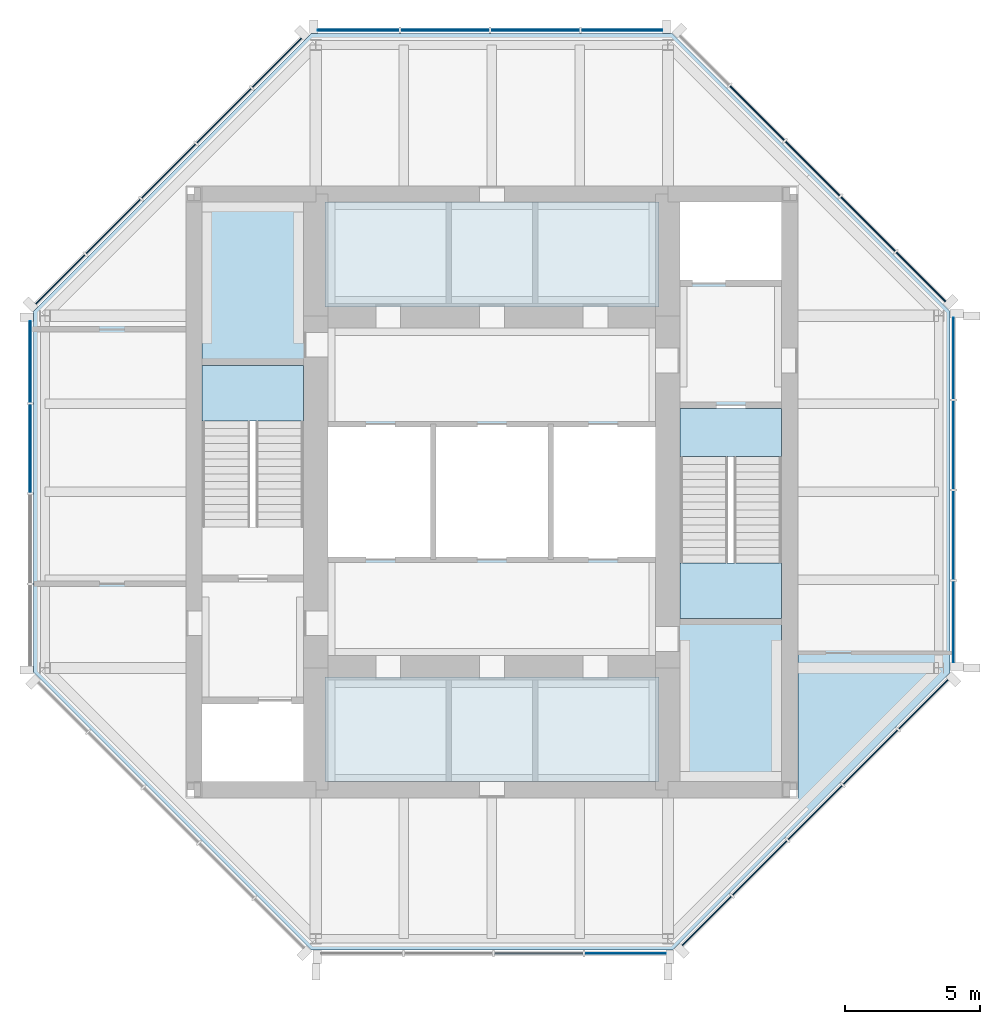
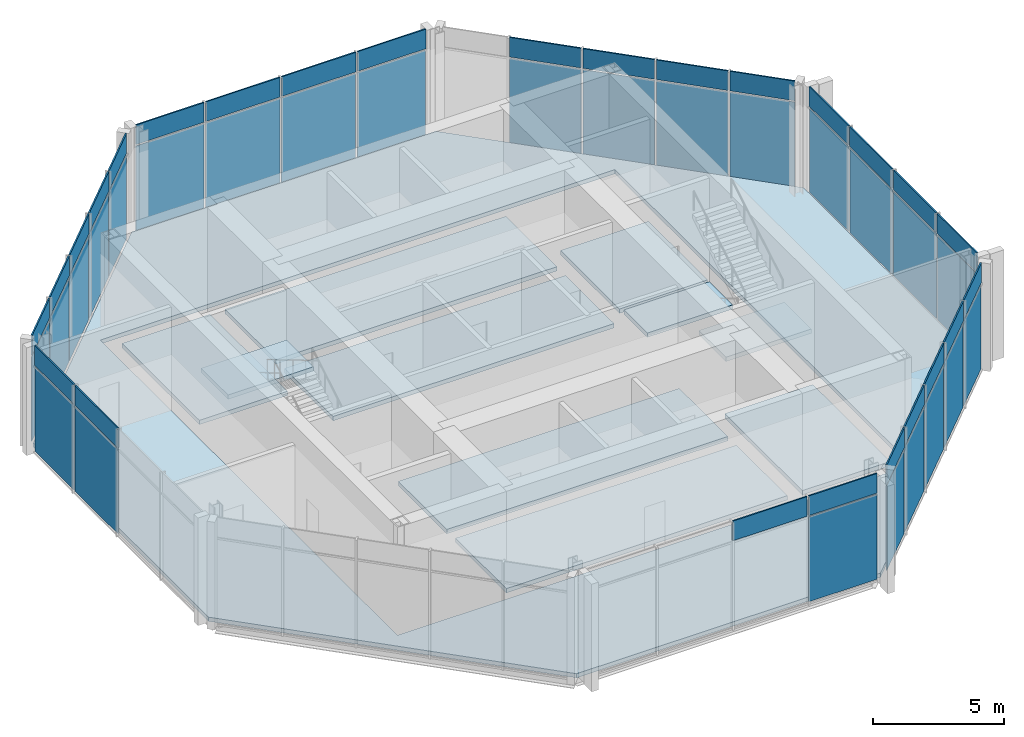
# One storey, part 4 of 7: 51 plates, 11 slabs, 9 elements without a shape of their own.
"""IFC4 building model written with IfcOpenShell, lengths in metres."""

from ifc_helpers import new_model, si_unit, direction, frame, origin, origin_2d, place, context, subcontext, project, spatial, polyline, rectangle, outline, extrude, material, layer, layer_set, type_object, element, aggregate, save


model = new_model("IFC4")

# Units and contexts
model_context = context("Model", 3, precision=1e-05, world=origin(), true_north=direction((0.0, 1.0)))
body_context = subcontext(model_context, "Body", "Model", "MODEL_VIEW")
ifc_project = project(units=[si_unit("LENGTHUNIT", "METRE"), si_unit("AREAUNIT", "SQUARE_METRE"), si_unit("VOLUMEUNIT", "CUBIC_METRE"), si_unit("PLANEANGLEUNIT", "RADIAN"), si_unit("MASSUNIT", "GRAM", prefix="KILO")], contexts=[model_context])

# Site, building, storey
site_placement = place(None, origin())
site = spatial("IfcSite", under=ifc_project, at=site_placement, CompositionType="ELEMENT")
building_placement = place(site_placement, origin())
building = spatial("IfcBuilding", under=site, at=building_placement, Name="Trevanion Tower", CompositionType="ELEMENT")
storey_placement = place(building_placement, frame((0.0, 0.0, 299.199951171875)))
storey = spatial("IfcBuildingStorey", under=building, at=storey_placement, Name="L74", CompositionType="ELEMENT", Elevation=299.199951171875)

# Curtain wall, plates
ifc_material_1 = material(Name="Aluminium and glass", Category="aluminium")
curtain_wall_type = type_object("IfcCurtainWallType", Name="CW4 curtain wall", PredefinedType="USERDEFINED", material=ifc_material_1)
curtain_wall_1_placement = place(storey_placement, origin())
curtain_wall_1 = element("IfcCurtainWall", 1, at=curtain_wall_1_placement, inside=storey, type_object=curtain_wall_type, Name="CW4 L74 0", ObjectType="UNITISED CURTAIN WALL", PredefinedType="USERDEFINED")
ifc_material_2 = material(Name="Aluminium spandrel panel", Category="aluminium")
ifc_layer_1 = layer(ifc_material_2, 0.06005859375)
ifc_layer_set_1 = layer_set([ifc_layer_1], Name="CW4 spandrel panel")
plate_type_1 = type_object("IfcPlateType", Name="CW4 spandrel panel", PredefinedType="CURTAIN_PANEL", material=ifc_layer_set_1)
plate_1_placement = place(storey_placement, frame((17.050048828125, -4.80078125, 3.8974609375), z_axis=(0.0, 0.0, 1.0), x_axis=(0.0, 1.0, 0.0)))
plate_1 = element("IfcPlate", 2, at=plate_1_placement, type_object=plate_type_1, Name="CW4 panel 1.2", PredefinedType="CURTAIN_PANEL", context=body_context, shape_type="SweptSolid", body=[
    extrude(rectangle(XDim=2.993896484375, YDim=0.06005859375, at=origin_2d()), origin(), (0.0, 0.0, 1.0), 0.91259765625),
])
plate_2_placement = place(storey_placement, frame((17.050048828125, -1.6005859375, 3.8974609375), z_axis=(0.0, 0.0, 1.0), x_axis=(0.0, 1.0, 0.0)))
plate_2 = element("IfcPlate", 3, at=plate_2_placement, type_object=plate_type_1, Name="CW4 panel 2.2", PredefinedType="CURTAIN_PANEL", context=body_context, shape_type="SweptSolid", body=[
    extrude(rectangle(XDim=3.25634765625, YDim=0.06005859375, at=origin_2d()), origin(), (0.0, 0.0, 1.0), 0.91259765625),
])
plate_3_placement = place(storey_placement, frame((17.050048828125, 1.730712890625, 3.8974609375), z_axis=(0.0, 0.0, 1.0), x_axis=(0.0, 1.0, 0.0)))
plate_3 = element("IfcPlate", 4, at=plate_3_placement, type_object=plate_type_1, Name="CW4 panel 3.2", PredefinedType="CURTAIN_PANEL", context=body_context, shape_type="SweptSolid", body=[
    extrude(rectangle(XDim=3.25634765625, YDim=0.06005859375, at=origin_2d()), origin(), (0.0, 0.0, 1.0), 0.91259765625),
])
plate_4_placement = place(storey_placement, frame((17.050048828125, 4.930908203125, 3.8974609375), z_axis=(0.0, 0.0, 1.0), x_axis=(0.0, 1.0, 0.0)))
plate_4 = element("IfcPlate", 5, at=plate_4_placement, type_object=plate_type_1, Name="CW4 panel 4.2", PredefinedType="CURTAIN_PANEL", context=body_context, shape_type="SweptSolid", body=[
    extrude(rectangle(XDim=2.993896484375, YDim=0.06005859375, at=origin_2d()), origin(), (0.0, 0.0, 1.0), 0.91259765625),
])

curtain_wall_2_placement = place(storey_placement, origin())
curtain_wall_2 = element("IfcCurtainWall", 6, at=curtain_wall_2_placement, inside=storey, type_object=curtain_wall_type, Name="CW4 L74 1", ObjectType="UNITISED CURTAIN WALL", PredefinedType="USERDEFINED")
plate_5_placement = place(storey_placement, frame((15.84228515625, 7.935546875, 3.8974609375), z_axis=(0.0, 0.0, 1.0), x_axis=(-0.707106781187, 0.707106781187, 0.0)))
plate_5 = element("IfcPlate", 7, at=plate_5_placement, type_object=plate_type_1, Name="CW4 panel 1.2", PredefinedType="CURTAIN_PANEL", context=body_context, shape_type="SweptSolid", body=[
    extrude(rectangle(XDim=2.55615234375, YDim=0.06005859375, at=origin_2d()), origin(), (0.0, 0.0, 1.0), 0.91259765625),
])
plate_6_placement = place(storey_placement, frame((13.888916015625, 9.888916015625, 3.8974609375), z_axis=(0.0, 0.0, 1.0), x_axis=(-0.707106781187, 0.707106781187, 0.0)))
plate_6 = element("IfcPlate", 8, at=plate_6_placement, type_object=plate_type_1, Name="CW4 panel 2.2", PredefinedType="CURTAIN_PANEL", context=body_context, shape_type="SweptSolid", body=[
    extrude(rectangle(XDim=2.818603515625, YDim=0.06005859375, at=origin_2d()), origin(), (0.0, 0.0, 1.0), 0.91259765625),
])
plate_7_placement = place(storey_placement, frame((11.843017578125, 11.934814453125, 3.8974609375), z_axis=(0.0, 0.0, 1.0), x_axis=(-0.707106781187, 0.707106781187, 0.0)))
plate_7 = element("IfcPlate", 9, at=plate_7_placement, type_object=plate_type_1, Name="CW4 panel 3.2", PredefinedType="CURTAIN_PANEL", context=body_context, shape_type="SweptSolid", body=[
    extrude(rectangle(XDim=2.818603515625, YDim=0.06005859375, at=origin_2d()), origin(), (0.0, 0.0, 1.0), 0.91259765625),
])
plate_8_placement = place(storey_placement, frame((9.796875, 13.98095703125, 3.8974609375), z_axis=(0.0, 0.0, 1.0), x_axis=(-0.707106781187, 0.707106781187, 0.0)))
plate_8 = element("IfcPlate", 10, at=plate_8_placement, type_object=plate_type_1, Name="CW4 panel 4.2", PredefinedType="CURTAIN_PANEL", context=body_context, shape_type="SweptSolid", body=[
    extrude(rectangle(XDim=2.818603515625, YDim=0.06005859375, at=origin_2d()), origin(), (0.0, 0.0, 1.0), 0.91259765625),
])

curtain_wall_3_placement = place(storey_placement, origin())
curtain_wall_3 = element("IfcCurtainWall", 11, at=curtain_wall_3_placement, inside=storey, type_object=curtain_wall_type, Name="CW4 L74 2", ObjectType="UNITISED CURTAIN WALL", PredefinedType="USERDEFINED")
plate_9_placement = place(storey_placement, frame((4.80078125, 17.050048828125, 3.8974609375), z_axis=(0.0, 0.0, 1.0), x_axis=(-1.0, 0.0, 0.0)))
plate_9 = element("IfcPlate", 12, at=plate_9_placement, type_object=plate_type_1, Name="CW4 panel 1.2", PredefinedType="CURTAIN_PANEL", context=body_context, shape_type="SweptSolid", body=[
    extrude(rectangle(XDim=2.993896484375, YDim=0.06005859375, at=origin_2d()), origin(), (0.0, 0.0, 1.0), 0.91259765625),
])
plate_10_placement = place(storey_placement, frame((1.6005859375, 17.050048828125, 3.8974609375), z_axis=(0.0, 0.0, 1.0), x_axis=(-1.0, 0.0, 0.0)))
plate_10 = element("IfcPlate", 13, at=plate_10_placement, type_object=plate_type_1, Name="CW4 panel 2.2", PredefinedType="CURTAIN_PANEL", context=body_context, shape_type="SweptSolid", body=[
    extrude(rectangle(XDim=3.25634765625, YDim=0.06005859375, at=origin_2d()), origin(), (0.0, 0.0, 1.0), 0.91259765625),
])
plate_11_placement = place(storey_placement, frame((-1.730712890625, 17.050048828125, 3.8974609375), z_axis=(0.0, 0.0, 1.0), x_axis=(-1.0, 0.0, 0.0)))
plate_11 = element("IfcPlate", 14, at=plate_11_placement, type_object=plate_type_1, Name="CW4 panel 3.2", PredefinedType="CURTAIN_PANEL", context=body_context, shape_type="SweptSolid", body=[
    extrude(rectangle(XDim=3.25634765625, YDim=0.06005859375, at=origin_2d()), origin(), (0.0, 0.0, 1.0), 0.91259765625),
])
plate_12_placement = place(storey_placement, frame((-4.930908203125, 17.050048828125, 3.8974609375), z_axis=(0.0, 0.0, 1.0), x_axis=(-1.0, 0.0, 0.0)))
plate_12 = element("IfcPlate", 15, at=plate_12_placement, type_object=plate_type_1, Name="CW4 panel 4.2", PredefinedType="CURTAIN_PANEL", context=body_context, shape_type="SweptSolid", body=[
    extrude(rectangle(XDim=2.993896484375, YDim=0.06005859375, at=origin_2d()), origin(), (0.0, 0.0, 1.0), 0.91259765625),
])

curtain_wall_4_placement = place(storey_placement, origin())
curtain_wall_4 = element("IfcCurtainWall", 16, at=curtain_wall_4_placement, inside=storey, type_object=curtain_wall_type, Name="CW4 L74 3", ObjectType="UNITISED CURTAIN WALL", PredefinedType="USERDEFINED")
plate_13_placement = place(storey_placement, frame((-7.935546875, 15.84228515625, 3.8974609375), z_axis=(0.0, 0.0, 1.0), x_axis=(-0.707106781187, -0.707106781187, 0.0)))
plate_13 = element("IfcPlate", 17, at=plate_13_placement, type_object=plate_type_1, Name="CW4 panel 1.2", PredefinedType="CURTAIN_PANEL", context=body_context, shape_type="SweptSolid", body=[
    extrude(rectangle(XDim=2.55615234375, YDim=0.06005859375, at=origin_2d()), origin(), (0.0, 0.0, 1.0), 0.91259765625),
])
plate_14_placement = place(storey_placement, frame((-9.888916015625, 13.888916015625, 3.8974609375), z_axis=(0.0, 0.0, 1.0), x_axis=(-0.707106781187, -0.707106781187, 0.0)))
plate_14 = element("IfcPlate", 18, at=plate_14_placement, type_object=plate_type_1, Name="CW4 panel 2.2", PredefinedType="CURTAIN_PANEL", context=body_context, shape_type="SweptSolid", body=[
    extrude(rectangle(XDim=2.818603515625, YDim=0.06005859375, at=origin_2d()), origin(), (0.0, 0.0, 1.0), 0.91259765625),
])
plate_15_placement = place(storey_placement, frame((-11.934814453125, 11.843017578125, 3.8974609375), z_axis=(0.0, 0.0, 1.0), x_axis=(-0.707106781187, -0.707106781187, 0.0)))
plate_15 = element("IfcPlate", 19, at=plate_15_placement, type_object=plate_type_1, Name="CW4 panel 3.2", PredefinedType="CURTAIN_PANEL", context=body_context, shape_type="SweptSolid", body=[
    extrude(rectangle(XDim=2.818603515625, YDim=0.06005859375, at=origin_2d()), origin(), (0.0, 0.0, 1.0), 0.91259765625),
])
plate_16_placement = place(storey_placement, frame((-13.98095703125, 9.796875, 3.8974609375), z_axis=(0.0, 0.0, 1.0), x_axis=(-0.707106781187, -0.707106781187, 0.0)))
plate_16 = element("IfcPlate", 20, at=plate_16_placement, type_object=plate_type_1, Name="CW4 panel 4.2", PredefinedType="CURTAIN_PANEL", context=body_context, shape_type="SweptSolid", body=[
    extrude(rectangle(XDim=2.818603515625, YDim=0.06005859375, at=origin_2d()), origin(), (0.0, 0.0, 1.0), 0.91259765625),
])
plate_17_placement = place(storey_placement, frame((-15.93408203125, 7.84375, 3.8974609375), z_axis=(0.0, 0.0, 1.0), x_axis=(-0.707106781187, -0.707106781187, 0.0)))
plate_17 = element("IfcPlate", 21, at=plate_17_placement, type_object=plate_type_1, Name="CW4 panel 5.2", PredefinedType="CURTAIN_PANEL", context=body_context, shape_type="SweptSolid", body=[
    extrude(rectangle(XDim=2.55615234375, YDim=0.06005859375, at=origin_2d()), origin(), (0.0, 0.0, 1.0), 0.91259765625),
])

curtain_wall_5_placement = place(storey_placement, origin())
curtain_wall_5 = element("IfcCurtainWall", 22, at=curtain_wall_5_placement, inside=storey, type_object=curtain_wall_type, Name="CW4 L74 4", ObjectType="UNITISED CURTAIN WALL", PredefinedType="USERDEFINED")
plate_18_placement = place(storey_placement, frame((-17.050048828125, 4.80078125, 3.8974609375), z_axis=(0.0, 0.0, 1.0), x_axis=(0.0, -1.0, 0.0)))
plate_18 = element("IfcPlate", 23, at=plate_18_placement, type_object=plate_type_1, Name="CW4 panel 1.2", PredefinedType="CURTAIN_PANEL", context=body_context, shape_type="SweptSolid", body=[
    extrude(rectangle(XDim=2.993896484375, YDim=0.06005859375, at=origin_2d()), origin(), (0.0, 0.0, 1.0), 0.91259765625),
])
plate_19_placement = place(storey_placement, frame((-17.050048828125, 1.6005859375, 3.8974609375), z_axis=(0.0, 0.0, 1.0), x_axis=(0.0, -1.0, 0.0)))
plate_19 = element("IfcPlate", 24, at=plate_19_placement, type_object=plate_type_1, Name="CW4 panel 2.2", PredefinedType="CURTAIN_PANEL", context=body_context, shape_type="SweptSolid", body=[
    extrude(rectangle(XDim=3.25634765625, YDim=0.06005859375, at=origin_2d()), origin(), (0.0, 0.0, 1.0), 0.91259765625),
])

curtain_wall_6_placement = place(storey_placement, origin())
curtain_wall_6 = element("IfcCurtainWall", 25, at=curtain_wall_6_placement, inside=storey, type_object=curtain_wall_type, Name="CW4 L74 6", ObjectType="UNITISED CURTAIN WALL", PredefinedType="USERDEFINED")
plate_20_placement = place(storey_placement, frame((1.730712890625, -17.050048828125, 3.8974609375), z_axis=(0.0, 0.0, 1.0), x_axis=(1.0, 0.0, 0.0)))
plate_20 = element("IfcPlate", 26, at=plate_20_placement, type_object=plate_type_1, Name="CW4 panel 3.2", PredefinedType="CURTAIN_PANEL", context=body_context, shape_type="SweptSolid", body=[
    extrude(rectangle(XDim=3.25634765625, YDim=0.06005859375, at=origin_2d()), origin(), (0.0, 0.0, 1.0), 0.91259765625),
])
plate_21_placement = place(storey_placement, frame((4.930908203125, -17.050048828125, 3.8974609375), z_axis=(0.0, 0.0, 1.0), x_axis=(1.0, 0.0, 0.0)))
plate_21 = element("IfcPlate", 27, at=plate_21_placement, type_object=plate_type_1, Name="CW4 panel 4.2", PredefinedType="CURTAIN_PANEL", context=body_context, shape_type="SweptSolid", body=[
    extrude(rectangle(XDim=2.993896484375, YDim=0.06005859375, at=origin_2d()), origin(), (0.0, 0.0, 1.0), 0.91259765625),
])

curtain_wall_7_placement = place(storey_placement, origin())
curtain_wall_7 = element("IfcCurtainWall", 28, at=curtain_wall_7_placement, inside=storey, type_object=curtain_wall_type, Name="CW4 L74 7", ObjectType="UNITISED CURTAIN WALL", PredefinedType="USERDEFINED")
plate_22_placement = place(storey_placement, frame((7.935546875, -15.84228515625, 3.8974609375), z_axis=(0.0, 0.0, 1.0), x_axis=(0.707106781187, 0.707106781187, 0.0)))
plate_22 = element("IfcPlate", 29, at=plate_22_placement, type_object=plate_type_1, Name="CW4 panel 1.2", PredefinedType="CURTAIN_PANEL", context=body_context, shape_type="SweptSolid", body=[
    extrude(rectangle(XDim=2.55615234375, YDim=0.06005859375, at=origin_2d()), origin(), (0.0, 0.0, 1.0), 0.91259765625),
])
plate_23_placement = place(storey_placement, frame((9.888916015625, -13.888916015625, 3.8974609375), z_axis=(0.0, 0.0, 1.0), x_axis=(0.707106781187, 0.707106781187, 0.0)))
plate_23 = element("IfcPlate", 30, at=plate_23_placement, type_object=plate_type_1, Name="CW4 panel 2.2", PredefinedType="CURTAIN_PANEL", context=body_context, shape_type="SweptSolid", body=[
    extrude(rectangle(XDim=2.818603515625, YDim=0.06005859375, at=origin_2d()), origin(), (0.0, 0.0, 1.0), 0.91259765625),
])
plate_24_placement = place(storey_placement, frame((11.934814453125, -11.843017578125, 3.8974609375), z_axis=(0.0, 0.0, 1.0), x_axis=(0.707106781187, 0.707106781187, 0.0)))
plate_24 = element("IfcPlate", 31, at=plate_24_placement, type_object=plate_type_1, Name="CW4 panel 3.2", PredefinedType="CURTAIN_PANEL", context=body_context, shape_type="SweptSolid", body=[
    extrude(rectangle(XDim=2.818603515625, YDim=0.06005859375, at=origin_2d()), origin(), (0.0, 0.0, 1.0), 0.91259765625),
])
plate_25_placement = place(storey_placement, frame((13.98095703125, -9.796875, 3.8974609375), z_axis=(0.0, 0.0, 1.0), x_axis=(0.707106781187, 0.707106781187, 0.0)))
plate_25 = element("IfcPlate", 32, at=plate_25_placement, type_object=plate_type_1, Name="CW4 panel 4.2", PredefinedType="CURTAIN_PANEL", context=body_context, shape_type="SweptSolid", body=[
    extrude(rectangle(XDim=2.818603515625, YDim=0.06005859375, at=origin_2d()), origin(), (0.0, 0.0, 1.0), 0.91259765625),
])
plate_26_placement = place(storey_placement, frame((15.93408203125, -7.84375, 3.8974609375), z_axis=(0.0, 0.0, 1.0), x_axis=(0.707106781187, 0.707106781187, 0.0)))
plate_26 = element("IfcPlate", 33, at=plate_26_placement, type_object=plate_type_1, Name="CW4 panel 5.2", PredefinedType="CURTAIN_PANEL", context=body_context, shape_type="SweptSolid", body=[
    extrude(rectangle(XDim=2.55615234375, YDim=0.06005859375, at=origin_2d()), origin(), (0.0, 0.0, 1.0), 0.91259765625),
])

# Plate
ifc_material_3 = material(Name="Insulating glass unit", Category="glass")
ifc_layer_2 = layer(ifc_material_3, 0.028076171875)
ifc_layer_set_2 = layer_set([ifc_layer_2], Name="CW4 vision panel")
plate_type_2 = type_object("IfcPlateType", Name="CW4 vision panel", PredefinedType="CURTAIN_PANEL", material=ifc_layer_set_2)
plate_27_placement = place(storey_placement, frame((17.050048828125, -4.80078125, -0.114990234375), z_axis=(0.0, 0.0, 1.0), x_axis=(0.0, 1.0, 0.0)))
plate_27 = element("IfcPlate", 34, at=plate_27_placement, type_object=plate_type_2, Name="CW4 panel 1.1", PredefinedType="CURTAIN_PANEL", context=body_context, shape_type="SweptSolid", body=[
    extrude(rectangle(XDim=2.993896484375, YDim=0.028076171875, at=origin_2d()), origin(), (0.0, 0.0, 1.0), 3.9375),
])

plate_28_placement = place(storey_placement, frame((17.050048828125, -1.6005859375, -0.114990234375), z_axis=(0.0, 0.0, 1.0), x_axis=(0.0, 1.0, 0.0)))
plate_28 = element("IfcPlate", 35, at=plate_28_placement, type_object=plate_type_2, Name="CW4 panel 2.1", PredefinedType="CURTAIN_PANEL", context=body_context, shape_type="SweptSolid", body=[
    extrude(rectangle(XDim=3.25634765625, YDim=0.028076171875, at=origin_2d()), origin(), (0.0, 0.0, 1.0), 3.9375),
])

plate_29_placement = place(storey_placement, frame((17.050048828125, 1.730712890625, -0.114990234375), z_axis=(0.0, 0.0, 1.0), x_axis=(0.0, 1.0, 0.0)))
plate_29 = element("IfcPlate", 36, at=plate_29_placement, type_object=plate_type_2, Name="CW4 panel 3.1", PredefinedType="CURTAIN_PANEL", context=body_context, shape_type="SweptSolid", body=[
    extrude(rectangle(XDim=3.25634765625, YDim=0.028076171875, at=origin_2d()), origin(), (0.0, 0.0, 1.0), 3.9375),
])

plate_30_placement = place(storey_placement, frame((17.050048828125, 4.930908203125, -0.114990234375), z_axis=(0.0, 0.0, 1.0), x_axis=(0.0, 1.0, 0.0)))
plate_30 = element("IfcPlate", 37, at=plate_30_placement, type_object=plate_type_2, Name="CW4 panel 4.1", PredefinedType="CURTAIN_PANEL", context=body_context, shape_type="SweptSolid", body=[
    extrude(rectangle(XDim=2.993896484375, YDim=0.028076171875, at=origin_2d()), origin(), (0.0, 0.0, 1.0), 3.9375),
])

aggregate(curtain_wall_1, [plate_27, plate_1, plate_28, plate_2, plate_29, plate_3, plate_30, plate_4])

plate_31_placement = place(storey_placement, frame((15.84228515625, 7.935546875, -0.114990234375), z_axis=(0.0, 0.0, 1.0), x_axis=(-0.707106781187, 0.707106781187, 0.0)))
plate_31 = element("IfcPlate", 38, at=plate_31_placement, type_object=plate_type_2, Name="CW4 panel 1.1", PredefinedType="CURTAIN_PANEL", context=body_context, shape_type="SweptSolid", body=[
    extrude(rectangle(XDim=2.55615234375, YDim=0.028076171875, at=origin_2d()), origin(), (0.0, 0.0, 1.0), 3.9375),
])

plate_32_placement = place(storey_placement, frame((13.888916015625, 9.888916015625, -0.114990234375), z_axis=(0.0, 0.0, 1.0), x_axis=(-0.707106781187, 0.707106781187, 0.0)))
plate_32 = element("IfcPlate", 39, at=plate_32_placement, type_object=plate_type_2, Name="CW4 panel 2.1", PredefinedType="CURTAIN_PANEL", context=body_context, shape_type="SweptSolid", body=[
    extrude(rectangle(XDim=2.818603515625, YDim=0.028076171875, at=origin_2d()), origin(), (0.0, 0.0, 1.0), 3.9375),
])

plate_33_placement = place(storey_placement, frame((11.843017578125, 11.934814453125, -0.114990234375), z_axis=(0.0, 0.0, 1.0), x_axis=(-0.707106781187, 0.707106781187, 0.0)))
plate_33 = element("IfcPlate", 40, at=plate_33_placement, type_object=plate_type_2, Name="CW4 panel 3.1", PredefinedType="CURTAIN_PANEL", context=body_context, shape_type="SweptSolid", body=[
    extrude(rectangle(XDim=2.818603515625, YDim=0.028076171875, at=origin_2d()), origin(), (0.0, 0.0, 1.0), 3.9375),
])

plate_34_placement = place(storey_placement, frame((9.796875, 13.98095703125, -0.114990234375), z_axis=(0.0, 0.0, 1.0), x_axis=(-0.707106781187, 0.707106781187, 0.0)))
plate_34 = element("IfcPlate", 41, at=plate_34_placement, type_object=plate_type_2, Name="CW4 panel 4.1", PredefinedType="CURTAIN_PANEL", context=body_context, shape_type="SweptSolid", body=[
    extrude(rectangle(XDim=2.818603515625, YDim=0.028076171875, at=origin_2d()), origin(), (0.0, 0.0, 1.0), 3.9375),
])

aggregate(curtain_wall_2, [plate_31, plate_5, plate_32, plate_6, plate_33, plate_7, plate_34, plate_8])

plate_35_placement = place(storey_placement, frame((4.80078125, 17.050048828125, -0.114990234375), z_axis=(0.0, 0.0, 1.0), x_axis=(-1.0, 0.0, 0.0)))
plate_35 = element("IfcPlate", 42, at=plate_35_placement, type_object=plate_type_2, Name="CW4 panel 1.1", PredefinedType="CURTAIN_PANEL", context=body_context, shape_type="SweptSolid", body=[
    extrude(rectangle(XDim=2.993896484375, YDim=0.028076171875, at=origin_2d()), origin(), (0.0, 0.0, 1.0), 3.9375),
])

plate_36_placement = place(storey_placement, frame((1.6005859375, 17.050048828125, -0.114990234375), z_axis=(0.0, 0.0, 1.0), x_axis=(-1.0, 0.0, 0.0)))
plate_36 = element("IfcPlate", 43, at=plate_36_placement, type_object=plate_type_2, Name="CW4 panel 2.1", PredefinedType="CURTAIN_PANEL", context=body_context, shape_type="SweptSolid", body=[
    extrude(rectangle(XDim=3.25634765625, YDim=0.028076171875, at=origin_2d()), origin(), (0.0, 0.0, 1.0), 3.9375),
])

plate_37_placement = place(storey_placement, frame((-1.730712890625, 17.050048828125, -0.114990234375), z_axis=(0.0, 0.0, 1.0), x_axis=(-1.0, 0.0, 0.0)))
plate_37 = element("IfcPlate", 44, at=plate_37_placement, type_object=plate_type_2, Name="CW4 panel 3.1", PredefinedType="CURTAIN_PANEL", context=body_context, shape_type="SweptSolid", body=[
    extrude(rectangle(XDim=3.25634765625, YDim=0.028076171875, at=origin_2d()), origin(), (0.0, 0.0, 1.0), 3.9375),
])

plate_38_placement = place(storey_placement, frame((-4.930908203125, 17.050048828125, -0.114990234375), z_axis=(0.0, 0.0, 1.0), x_axis=(-1.0, 0.0, 0.0)))
plate_38 = element("IfcPlate", 45, at=plate_38_placement, type_object=plate_type_2, Name="CW4 panel 4.1", PredefinedType="CURTAIN_PANEL", context=body_context, shape_type="SweptSolid", body=[
    extrude(rectangle(XDim=2.993896484375, YDim=0.028076171875, at=origin_2d()), origin(), (0.0, 0.0, 1.0), 3.9375),
])

aggregate(curtain_wall_3, [plate_35, plate_9, plate_36, plate_10, plate_37, plate_11, plate_38, plate_12])

plate_39_placement = place(storey_placement, frame((-7.935546875, 15.84228515625, -0.114990234375), z_axis=(0.0, 0.0, 1.0), x_axis=(-0.707106781187, -0.707106781187, 0.0)))
plate_39 = element("IfcPlate", 46, at=plate_39_placement, type_object=plate_type_2, Name="CW4 panel 1.1", PredefinedType="CURTAIN_PANEL", context=body_context, shape_type="SweptSolid", body=[
    extrude(rectangle(XDim=2.55615234375, YDim=0.028076171875, at=origin_2d()), origin(), (0.0, 0.0, 1.0), 3.9375),
])

plate_40_placement = place(storey_placement, frame((-9.888916015625, 13.888916015625, -0.114990234375), z_axis=(0.0, 0.0, 1.0), x_axis=(-0.707106781187, -0.707106781187, 0.0)))
plate_40 = element("IfcPlate", 47, at=plate_40_placement, type_object=plate_type_2, Name="CW4 panel 2.1", PredefinedType="CURTAIN_PANEL", context=body_context, shape_type="SweptSolid", body=[
    extrude(rectangle(XDim=2.818603515625, YDim=0.028076171875, at=origin_2d()), origin(), (0.0, 0.0, 1.0), 3.9375),
])

plate_41_placement = place(storey_placement, frame((-11.934814453125, 11.843017578125, -0.114990234375), z_axis=(0.0, 0.0, 1.0), x_axis=(-0.707106781187, -0.707106781187, 0.0)))
plate_41 = element("IfcPlate", 48, at=plate_41_placement, type_object=plate_type_2, Name="CW4 panel 3.1", PredefinedType="CURTAIN_PANEL", context=body_context, shape_type="SweptSolid", body=[
    extrude(rectangle(XDim=2.818603515625, YDim=0.028076171875, at=origin_2d()), origin(), (0.0, 0.0, 1.0), 3.9375),
])

plate_42_placement = place(storey_placement, frame((-13.98095703125, 9.796875, -0.114990234375), z_axis=(0.0, 0.0, 1.0), x_axis=(-0.707106781187, -0.707106781187, 0.0)))
plate_42 = element("IfcPlate", 49, at=plate_42_placement, type_object=plate_type_2, Name="CW4 panel 4.1", PredefinedType="CURTAIN_PANEL", context=body_context, shape_type="SweptSolid", body=[
    extrude(rectangle(XDim=2.818603515625, YDim=0.028076171875, at=origin_2d()), origin(), (0.0, 0.0, 1.0), 3.9375),
])

plate_43_placement = place(storey_placement, frame((-15.93408203125, 7.84375, -0.114990234375), z_axis=(0.0, 0.0, 1.0), x_axis=(-0.707106781187, -0.707106781187, 0.0)))
plate_43 = element("IfcPlate", 50, at=plate_43_placement, type_object=plate_type_2, Name="CW4 panel 5.1", PredefinedType="CURTAIN_PANEL", context=body_context, shape_type="SweptSolid", body=[
    extrude(rectangle(XDim=2.55615234375, YDim=0.028076171875, at=origin_2d()), origin(), (0.0, 0.0, 1.0), 3.9375),
])

aggregate(curtain_wall_4, [plate_39, plate_13, plate_40, plate_14, plate_41, plate_15, plate_42, plate_16, plate_43, plate_17])

plate_44_placement = place(storey_placement, frame((-17.050048828125, 4.80078125, -0.114990234375), z_axis=(0.0, 0.0, 1.0), x_axis=(0.0, -1.0, 0.0)))
plate_44 = element("IfcPlate", 51, at=plate_44_placement, type_object=plate_type_2, Name="CW4 panel 1.1", PredefinedType="CURTAIN_PANEL", context=body_context, shape_type="SweptSolid", body=[
    extrude(rectangle(XDim=2.993896484375, YDim=0.028076171875, at=origin_2d()), origin(), (0.0, 0.0, 1.0), 3.9375),
])

plate_45_placement = place(storey_placement, frame((-17.050048828125, 1.6005859375, -0.114990234375), z_axis=(0.0, 0.0, 1.0), x_axis=(0.0, -1.0, 0.0)))
plate_45 = element("IfcPlate", 52, at=plate_45_placement, type_object=plate_type_2, Name="CW4 panel 2.1", PredefinedType="CURTAIN_PANEL", context=body_context, shape_type="SweptSolid", body=[
    extrude(rectangle(XDim=3.25634765625, YDim=0.028076171875, at=origin_2d()), origin(), (0.0, 0.0, 1.0), 3.9375),
])

aggregate(curtain_wall_5, [plate_44, plate_18, plate_45, plate_19])

plate_46_placement = place(storey_placement, frame((4.930908203125, -17.050048828125, -0.114990234375), z_axis=(0.0, 0.0, 1.0), x_axis=(1.0, 0.0, 0.0)))
plate_46 = element("IfcPlate", 53, at=plate_46_placement, type_object=plate_type_2, Name="CW4 panel 4.1", PredefinedType="CURTAIN_PANEL", context=body_context, shape_type="SweptSolid", body=[
    extrude(rectangle(XDim=2.993896484375, YDim=0.028076171875, at=origin_2d()), origin(), (0.0, 0.0, 1.0), 3.9375),
])

aggregate(curtain_wall_6, [plate_20, plate_46, plate_21])

plate_47_placement = place(storey_placement, frame((7.935546875, -15.84228515625, -0.114990234375), z_axis=(0.0, 0.0, 1.0), x_axis=(0.707106781187, 0.707106781187, 0.0)))
plate_47 = element("IfcPlate", 54, at=plate_47_placement, type_object=plate_type_2, Name="CW4 panel 1.1", PredefinedType="CURTAIN_PANEL", context=body_context, shape_type="SweptSolid", body=[
    extrude(rectangle(XDim=2.55615234375, YDim=0.028076171875, at=origin_2d()), origin(), (0.0, 0.0, 1.0), 3.9375),
])

plate_48_placement = place(storey_placement, frame((9.888916015625, -13.888916015625, -0.114990234375), z_axis=(0.0, 0.0, 1.0), x_axis=(0.707106781187, 0.707106781187, 0.0)))
plate_48 = element("IfcPlate", 55, at=plate_48_placement, type_object=plate_type_2, Name="CW4 panel 2.1", PredefinedType="CURTAIN_PANEL", context=body_context, shape_type="SweptSolid", body=[
    extrude(rectangle(XDim=2.818603515625, YDim=0.028076171875, at=origin_2d()), origin(), (0.0, 0.0, 1.0), 3.9375),
])

plate_49_placement = place(storey_placement, frame((11.934814453125, -11.843017578125, -0.114990234375), z_axis=(0.0, 0.0, 1.0), x_axis=(0.707106781187, 0.707106781187, 0.0)))
plate_49 = element("IfcPlate", 56, at=plate_49_placement, type_object=plate_type_2, Name="CW4 panel 3.1", PredefinedType="CURTAIN_PANEL", context=body_context, shape_type="SweptSolid", body=[
    extrude(rectangle(XDim=2.818603515625, YDim=0.028076171875, at=origin_2d()), origin(), (0.0, 0.0, 1.0), 3.9375),
])

plate_50_placement = place(storey_placement, frame((13.98095703125, -9.796875, -0.114990234375), z_axis=(0.0, 0.0, 1.0), x_axis=(0.707106781187, 0.707106781187, 0.0)))
plate_50 = element("IfcPlate", 57, at=plate_50_placement, type_object=plate_type_2, Name="CW4 panel 4.1", PredefinedType="CURTAIN_PANEL", context=body_context, shape_type="SweptSolid", body=[
    extrude(rectangle(XDim=2.818603515625, YDim=0.028076171875, at=origin_2d()), origin(), (0.0, 0.0, 1.0), 3.9375),
])

plate_51_placement = place(storey_placement, frame((15.93408203125, -7.84375, -0.114990234375), z_axis=(0.0, 0.0, 1.0), x_axis=(0.707106781187, 0.707106781187, 0.0)))
plate_51 = element("IfcPlate", 58, at=plate_51_placement, type_object=plate_type_2, Name="CW4 panel 5.1", PredefinedType="CURTAIN_PANEL", context=body_context, shape_type="SweptSolid", body=[
    extrude(rectangle(XDim=2.55615234375, YDim=0.028076171875, at=origin_2d()), origin(), (0.0, 0.0, 1.0), 3.9375),
])

aggregate(curtain_wall_7, [plate_47, plate_22, plate_48, plate_23, plate_49, plate_24, plate_50, plate_25, plate_51, plate_26])

# Slabs
ifc_material_4 = material(Name="Concrete 5,000 psi on composite metal deck", Category="concrete")
ifc_layer_3 = layer(ifc_material_4, 0.18994140625)
ifc_layer_set_3 = layer_set([ifc_layer_3], Name="SL1 composite floor 190")
slab_type_1 = type_object("IfcSlabType", Name="SL1 composite floor 190", PredefinedType="FLOOR", material=ifc_layer_set_3)
slab_1_placement = place(storey_placement, frame((0.0, 0.0, -0.18994140625)))
element("IfcSlab", 59, at=slab_1_placement, inside=storey, type_object=slab_type_1, Name="SL1 L74 floor", PredefinedType="FLOOR", context=body_context, shape_type="SweptSolid", body=[
    extrude(outline(polyline([(16.919921875, -6.674072265625), (16.919921875, 6.674072265625), (6.674072265625, 16.919921875), (-6.674072265625, 16.919921875), (-16.919921875, 6.674072265625), (-16.919921875, -6.674072265625), (-6.674072265625, -16.919921875), (6.674072265625, -16.919921875), (16.919921875, -6.674072265625)]), holes=[polyline([(11.300048828125, -11.300048828125), (11.300048828125, 11.300048828125), (-11.300048828125, 11.300048828125), (-11.300048828125, -11.300048828125), (11.300048828125, -11.300048828125)])]), origin(), (0.0, 0.0, 1.0), 0.18994140625),
])
ifc_material_5 = material(Name="Concrete 5,000 psi", Category="concrete")
ifc_layer_4 = layer(ifc_material_5, 0.199951171875)
ifc_layer_set_4 = layer_set([ifc_layer_4], Name="SL2 core floor 200")
slab_type_2 = type_object("IfcSlabType", Name="SL2 core floor 200", PredefinedType="FLOOR", material=ifc_layer_set_4)
slab_2_placement = place(storey_placement, frame((0.0, 0.0, -0.199951171875)))
element("IfcSlab", 60, at=slab_2_placement, inside=storey, type_object=slab_type_2, Name="SL2 L74 core floor 1", PredefinedType="FLOOR", context=body_context, shape_type="SweptSolid", body=[
    extrude(outline(polyline([(6.169921875, -10.699951171875), (-6.169921875, -10.699951171875), (-6.169921875, -6.830078125), (6.169921875, -6.830078125), (6.169921875, -10.699951171875)])), origin(), (0.0, 0.0, 1.0), 0.199951171875),
])
slab_3_placement = place(storey_placement, frame((0.0, 0.0, -0.199951171875)))
element("IfcSlab", 61, at=slab_3_placement, inside=storey, type_object=slab_type_2, Name="SL2 L74 core floor 2", PredefinedType="FLOOR", context=body_context, shape_type="SweptSolid", body=[
    extrude(outline(polyline([(6.830078125, -4.804931640625), (10.699951171875, -4.804931640625), (10.699951171875, -10.699951171875), (6.830078125, -10.699951171875), (6.830078125, -4.804931640625)])), origin(), (0.0, 0.0, 1.0), 0.199951171875),
])
slab_4_placement = place(storey_placement, frame((0.0, 0.0, -0.199951171875)))
element("IfcSlab", 62, at=slab_4_placement, inside=storey, type_object=slab_type_2, Name="SL2 L74 core floor 4", PredefinedType="FLOOR", context=body_context, shape_type="SweptSolid", body=[
    extrude(outline(polyline([(6.169921875, -6.169921875), (-6.169921875, -6.169921875), (-6.169921875, -2.47998046875), (6.169921875, -2.47998046875), (6.169921875, -6.169921875)])), origin(), (0.0, 0.0, 1.0), 0.199951171875),
])
slab_5_placement = place(storey_placement, frame((0.0, 0.0, -0.199951171875)))
element("IfcSlab", 63, at=slab_5_placement, inside=storey, type_object=slab_type_2, Name="SL2 L74 core floor 5", PredefinedType="FLOOR", context=body_context, shape_type="SweptSolid", body=[
    extrude(outline(polyline([(6.169921875, 2.47998046875), (-6.169921875, 2.47998046875), (-6.169921875, 6.169921875), (6.169921875, 6.169921875), (6.169921875, 2.47998046875)])), origin(), (0.0, 0.0, 1.0), 0.199951171875),
])
slab_6_placement = place(storey_placement, frame((0.0, 0.0, -0.199951171875)))
element("IfcSlab", 64, at=slab_6_placement, inside=storey, type_object=slab_type_2, Name="SL2 L74 core floor 6", PredefinedType="FLOOR", context=body_context, shape_type="SweptSolid", body=[
    extrude(outline(polyline([(6.830078125, 3.205078125), (6.830078125, 7.695068359375), (10.699951171875, 7.695068359375), (10.699951171875, 3.205078125), (6.830078125, 3.205078125)])), origin(), (0.0, 0.0, 1.0), 0.199951171875),
])
slab_7_placement = place(storey_placement, frame((0.0, 0.0, -0.199951171875)))
element("IfcSlab", 65, at=slab_7_placement, inside=storey, type_object=slab_type_2, Name="SL2 L74 core floor 7", PredefinedType="FLOOR", context=body_context, shape_type="SweptSolid", body=[
    extrude(outline(polyline([(-6.830078125, 4.804931640625), (-10.699951171875, 4.804931640625), (-10.699951171875, 10.699951171875), (-6.830078125, 10.699951171875), (-6.830078125, 4.804931640625)])), origin(), (0.0, 0.0, 1.0), 0.199951171875),
])
slab_8_placement = place(storey_placement, frame((0.0, 0.0, -0.199951171875)))
element("IfcSlab", 66, at=slab_8_placement, inside=storey, type_object=slab_type_2, Name="SL2 L74 core floor 8", PredefinedType="FLOOR", context=body_context, shape_type="SweptSolid", body=[
    extrude(outline(polyline([(6.169921875, 6.830078125), (-6.169921875, 6.830078125), (-6.169921875, 10.699951171875), (6.169921875, 10.699951171875), (6.169921875, 6.830078125)])), origin(), (0.0, 0.0, 1.0), 0.199951171875),
])

# Stair, slabs
ifc_material_6 = material(Name="Concrete 5,000 psi on steel stringers", Category="concrete")
stair_type = type_object("IfcStairType", Name="ST stair", PredefinedType="HALF_TURN_STAIR", material=ifc_material_6)
stair_1_placement = place(storey_placement, origin())
stair_1 = element("IfcStair", 67, at=stair_1_placement, inside=storey, type_object=stair_type, Name="ST1 L74", PredefinedType="HALF_TURN_STAIR")
ifc_material_7 = material(Name="Concrete 5,000 psi in steel pan", Category="concrete")
ifc_layer_5 = layer(ifc_material_7, 0.199951171875)
ifc_layer_set_5 = layer_set([ifc_layer_5], Name="STL stair landing 200")
slab_type_3 = type_object("IfcSlabType", Name="STL stair landing 200", PredefinedType="LANDING", material=ifc_layer_set_5)
slab_9_placement = place(storey_placement, frame((0.0, 0.0, -0.199951171875)))
slab_9 = element("IfcSlab", 68, at=slab_9_placement, type_object=slab_type_3, Name="ST1 landing 1", PredefinedType="LANDING", context=body_context, shape_type="SweptSolid", body=[
    extrude(outline(polyline([(6.949951171875, 1.300048828125), (10.699951171875, 1.300048828125), (10.699951171875, 3.074951171875), (6.949951171875, 3.074951171875), (6.949951171875, 1.300048828125)])), origin(), (0.0, 0.0, 1.0), 0.199951171875),
])
slab_10_placement = place(storey_placement, frame((0.0, 0.0, 2.300048828125)))
slab_10 = element("IfcSlab", 69, at=slab_10_placement, type_object=slab_type_3, Name="ST1 landing 2", PredefinedType="LANDING", context=body_context, shape_type="SweptSolid", body=[
    extrude(outline(polyline([(6.949951171875, -4.675048828125), (10.699951171875, -4.675048828125), (10.699951171875, -2.6201171875), (6.949951171875, -2.6201171875), (6.949951171875, -4.675048828125)])), origin(), (0.0, 0.0, 1.0), 0.199951171875),
])
aggregate(stair_1, [slab_9, slab_10])

# Stair, slab
stair_2_placement = place(storey_placement, origin())
stair_2 = element("IfcStair", 70, at=stair_2_placement, inside=storey, type_object=stair_type, Name="ST2 L74", PredefinedType="HALF_TURN_STAIR")
slab_11_placement = place(storey_placement, frame((0.0, 0.0, 2.300048828125)))
slab_11 = element("IfcSlab", 71, at=slab_11_placement, type_object=slab_type_3, Name="ST2 landing 2", PredefinedType="LANDING", context=body_context, shape_type="SweptSolid", body=[
    extrude(outline(polyline([(-6.949951171875, 4.675048828125), (-10.699951171875, 4.675048828125), (-10.699951171875, 2.6201171875), (-6.949951171875, 2.6201171875), (-6.949951171875, 4.675048828125)])), origin(), (0.0, 0.0, 1.0), 0.199951171875),
])
aggregate(stair_2, [slab_11])

save(model, "model.ifc")
